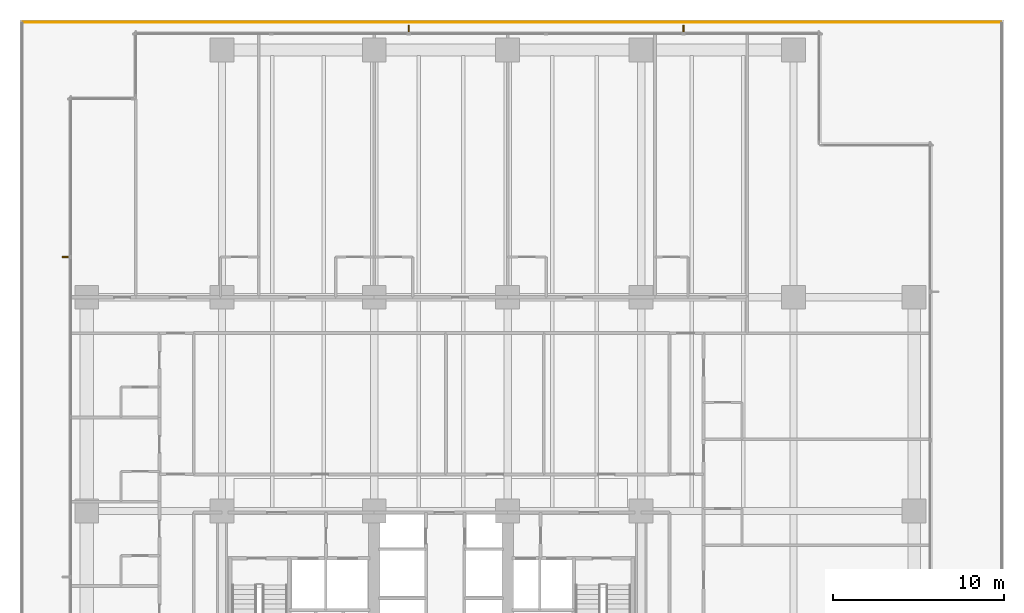
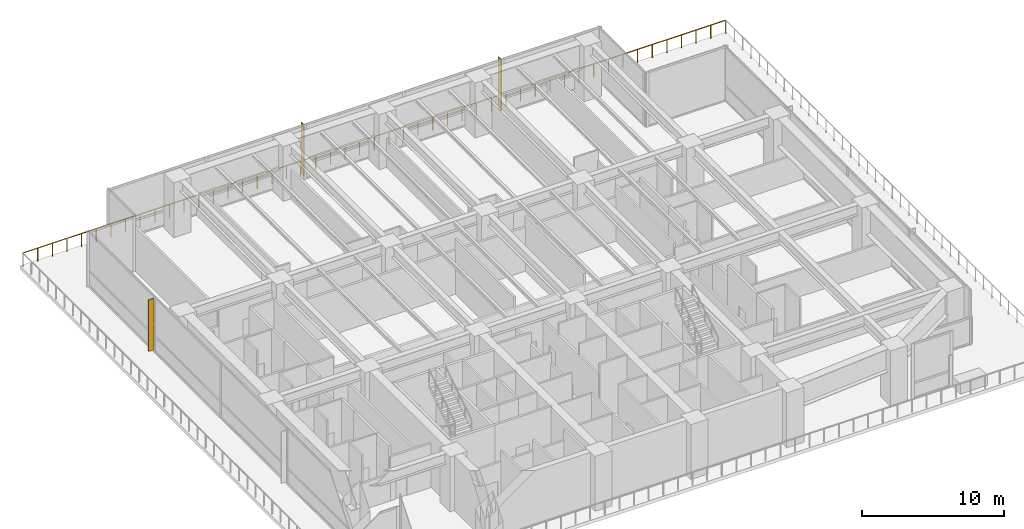
# One storey, part 19 of 19: 3 shading devices, 1 railing.
"""IFC4 building model written with IfcOpenShell, lengths in metres."""

from ifc_helpers import new_model, si_unit, direction, frame, origin, origin_2d, place, context, subcontext, project, spatial, polyline, circle, outline, extrude, material, layer, layer_set, type_object, element, save


model = new_model("IFC4")

# Units and contexts
model_context = context("Model", 3, precision=1e-05, world=origin(), true_north=direction((0.0, 1.0)))
body_context = subcontext(model_context, "Body", "Model", "MODEL_VIEW")
ifc_project = project(units=[si_unit("LENGTHUNIT", "METRE"), si_unit("AREAUNIT", "SQUARE_METRE"), si_unit("VOLUMEUNIT", "CUBIC_METRE"), si_unit("PLANEANGLEUNIT", "RADIAN"), si_unit("MASSUNIT", "GRAM", prefix="KILO")], contexts=[model_context])

# Site, building, storey
site_placement = place(None, origin())
site = spatial("IfcSite", under=ifc_project, at=site_placement, CompositionType="ELEMENT")
building_placement = place(site_placement, origin())
building = spatial("IfcBuilding", under=site, at=building_placement, Name="Qalmaran Belvedere Hotel", CompositionType="ELEMENT")
storey_placement = place(building_placement, frame((0.0, 0.0, 28.39990234375)))
storey = spatial("IfcBuildingStorey", under=building, at=storey_placement, Name="L06", CompositionType="ELEMENT", Elevation=28.39990234375)

# Shading devices
ifc_material = material(Name="Anodised Bronze Aluminium", Category="aluminium")
ifc_layer = layer(ifc_material, 0.06494140625, Name="Anodised Bronze Aluminium")
ifc_layer_set = layer_set([ifc_layer], Name="Anodised Bronze Aluminium")
shading_device_type = type_object("IfcShadingDeviceType", Name="FIN-BRNZ-420", PredefinedType="USERDEFINED", material=ifc_layer_set)
shading_device_1_placement = place(storey_placement, frame((0.0, 0.0, 0.16015625)))
element("IfcShadingDevice", 1, at=shading_device_1_placement, inside=storey, type_object=shading_device_type, Name="L06 Bronze Fin 1", ObjectType="FIN", PredefinedType="USERDEFINED", context=body_context, shape_type="SweptSolid", body=[
    extrude(outline(polyline([(47.302490234375, 48.472412109375), (47.302490234375, 48.892578125), (47.237548828125, 48.892578125), (47.237548828125, 48.472412109375), (47.302490234375, 48.472412109375)])), origin(), (0.0, 0.0, 1.0), 4.43994140625),
])
shading_device_2_placement = place(storey_placement, frame((0.0, 0.0, 0.16015625)))
element("IfcShadingDevice", 2, at=shading_device_2_placement, inside=storey, type_object=shading_device_type, Name="L06 Bronze Fin 3", ObjectType="FIN", PredefinedType="USERDEFINED", context=body_context, shape_type="SweptSolid", body=[
    extrude(outline(polyline([(31.242431640625, 48.472412109375), (31.242431640625, 48.892578125), (31.177490234375, 48.892578125), (31.177490234375, 48.472412109375), (31.242431640625, 48.472412109375)])), origin(), (0.0, 0.0, 1.0), 4.43994140625),
])
shading_device_3_placement = place(storey_placement, frame((0.0, 0.0, 0.16015625)))
element("IfcShadingDevice", 3, at=shading_device_3_placement, inside=storey, type_object=shading_device_type, Name="L06 Bronze Fin 1", ObjectType="FIN", PredefinedType="USERDEFINED", context=body_context, shape_type="SweptSolid", body=[
    extrude(outline(polyline([(11.37744140625, 35.382568359375), (10.95751953125, 35.382568359375), (10.95751953125, 35.3173828125), (11.37744140625, 35.3173828125), (11.37744140625, 35.382568359375)])), origin(), (0.0, 0.0, 1.0), 4.43994140625),
])

# Railing
railing_type = type_object("IfcRailingType", Name="GRD-TERR-1150", PredefinedType="BALUSTRADE", material=ifc_material)
railing_placement = place(storey_placement, frame((65.824951171875, 49.06005859375, 0.0)))
element("IfcRailing", 4, at=railing_placement, inside=storey, type_object=railing_type, Name="L06 Guardrail L06-TERR-3", PredefinedType="BALUSTRADE", context=body_context, shape_type="SweptSolid", body=[
    extrude(circle(Radius=0.02392578125, at=origin_2d()), frame((0.0, 0.0, 1.1259765625), z_axis=(-1.0, 0.0, 0.0), x_axis=(0.0, -1.0, 0.0)), (0.0, 0.0, 1.0), 57.14990234375),
    extrude(circle(Radius=0.02099609375, at=origin_2d()), origin(), (0.0, 0.0, 1.0), 1.101806640625),
    extrude(circle(Radius=0.02099609375, at=origin_2d()), frame((-1.190673828125, 0.0, 0.0)), (0.0, 0.0, 1.0), 1.101806640625),
    extrude(circle(Radius=0.02099609375, at=origin_2d()), frame((-2.38134765625, 0.0, 0.0)), (0.0, 0.0, 1.0), 1.101806640625),
    extrude(circle(Radius=0.02099609375, at=origin_2d()), frame((-3.57177734375, 0.0, 0.0)), (0.0, 0.0, 1.0), 1.101806640625),
    extrude(circle(Radius=0.02099609375, at=origin_2d()), frame((-4.762451171875, 0.0, 0.0)), (0.0, 0.0, 1.0), 1.101806640625),
    extrude(circle(Radius=0.02099609375, at=origin_2d()), frame((-5.953125, 0.0, 0.0)), (0.0, 0.0, 1.0), 1.101806640625),
    extrude(circle(Radius=0.02099609375, at=origin_2d()), frame((-7.143798828125, 0.0, 0.0)), (0.0, 0.0, 1.0), 1.101806640625),
    extrude(circle(Radius=0.02099609375, at=origin_2d()), frame((-8.33447265625, 0.0, 0.0)), (0.0, 0.0, 1.0), 1.101806640625),
    extrude(circle(Radius=0.02099609375, at=origin_2d()), frame((-9.52490234375, 0.0, 0.0)), (0.0, 0.0, 1.0), 1.101806640625),
    extrude(circle(Radius=0.02099609375, at=origin_2d()), frame((-10.715576171875, 0.0, 0.0)), (0.0, 0.0, 1.0), 1.101806640625),
    extrude(circle(Radius=0.02099609375, at=origin_2d()), frame((-11.90625, 0.0, 0.0)), (0.0, 0.0, 1.0), 1.101806640625),
    extrude(circle(Radius=0.02099609375, at=origin_2d()), frame((-13.096923828125, 0.0, 0.0)), (0.0, 0.0, 1.0), 1.101806640625),
    extrude(circle(Radius=0.02099609375, at=origin_2d()), frame((-14.28759765625, 0.0, 0.0)), (0.0, 0.0, 1.0), 1.101806640625),
    extrude(circle(Radius=0.02099609375, at=origin_2d()), frame((-15.47802734375, 0.0, 0.0)), (0.0, 0.0, 1.0), 1.101806640625),
    extrude(circle(Radius=0.02099609375, at=origin_2d()), frame((-16.668701171875, 0.0, 0.0)), (0.0, 0.0, 1.0), 1.101806640625),
    extrude(circle(Radius=0.02099609375, at=origin_2d()), frame((-17.859375, 0.0, 0.0)), (0.0, 0.0, 1.0), 1.101806640625),
    extrude(circle(Radius=0.02099609375, at=origin_2d()), frame((-19.050048828125, 0.0, 0.0)), (0.0, 0.0, 1.0), 1.101806640625),
    extrude(circle(Radius=0.02099609375, at=origin_2d()), frame((-20.240478515625, 0.0, 0.0)), (0.0, 0.0, 1.0), 1.101806640625),
    extrude(circle(Radius=0.02099609375, at=origin_2d()), frame((-21.43115234375, 0.0, 0.0)), (0.0, 0.0, 1.0), 1.101806640625),
    extrude(circle(Radius=0.02099609375, at=origin_2d()), frame((-22.621826171875, 0.0, 0.0)), (0.0, 0.0, 1.0), 1.101806640625),
    extrude(circle(Radius=0.02099609375, at=origin_2d()), frame((-23.8125, 0.0, 0.0)), (0.0, 0.0, 1.0), 1.101806640625),
    extrude(circle(Radius=0.02099609375, at=origin_2d()), frame((-25.003173828125, 0.0, 0.0)), (0.0, 0.0, 1.0), 1.101806640625),
    extrude(circle(Radius=0.02099609375, at=origin_2d()), frame((-26.193603515625, 0.0, 0.0)), (0.0, 0.0, 1.0), 1.101806640625),
    extrude(circle(Radius=0.02099609375, at=origin_2d()), frame((-27.38427734375, 0.0, 0.0)), (0.0, 0.0, 1.0), 1.101806640625),
    extrude(circle(Radius=0.02099609375, at=origin_2d()), frame((-28.574951171875, 0.0, 0.0)), (0.0, 0.0, 1.0), 1.101806640625),
    extrude(circle(Radius=0.02099609375, at=origin_2d()), frame((-29.765625, 0.0, 0.0)), (0.0, 0.0, 1.0), 1.101806640625),
    extrude(circle(Radius=0.02099609375, at=origin_2d()), frame((-30.956298828125, 0.0, 0.0)), (0.0, 0.0, 1.0), 1.101806640625),
    extrude(circle(Radius=0.02099609375, at=origin_2d()), frame((-32.146728515625, 0.0, 0.0)), (0.0, 0.0, 1.0), 1.101806640625),
    extrude(circle(Radius=0.02099609375, at=origin_2d()), frame((-33.33740234375, 0.0, 0.0)), (0.0, 0.0, 1.0), 1.101806640625),
    extrude(circle(Radius=0.02099609375, at=origin_2d()), frame((-34.528076171875, 0.0, 0.0)), (0.0, 0.0, 1.0), 1.101806640625),
    extrude(circle(Radius=0.02099609375, at=origin_2d()), frame((-35.71875, 0.0, 0.0)), (0.0, 0.0, 1.0), 1.101806640625),
    extrude(circle(Radius=0.02099609375, at=origin_2d()), frame((-36.909423828125, 0.0, 0.0)), (0.0, 0.0, 1.0), 1.101806640625),
    extrude(circle(Radius=0.02099609375, at=origin_2d()), frame((-38.099853515625, 0.0, 0.0)), (0.0, 0.0, 1.0), 1.101806640625),
    extrude(circle(Radius=0.02099609375, at=origin_2d()), frame((-39.29052734375, 0.0, 0.0)), (0.0, 0.0, 1.0), 1.101806640625),
    extrude(circle(Radius=0.02099609375, at=origin_2d()), frame((-40.481201171875, 0.0, 0.0)), (0.0, 0.0, 1.0), 1.101806640625),
    extrude(circle(Radius=0.02099609375, at=origin_2d()), frame((-41.671875, 0.0, 0.0)), (0.0, 0.0, 1.0), 1.101806640625),
    extrude(circle(Radius=0.02099609375, at=origin_2d()), frame((-42.8623046875, 0.0, 0.0)), (0.0, 0.0, 1.0), 1.101806640625),
    extrude(circle(Radius=0.02099609375, at=origin_2d()), frame((-44.052978515625, 0.0, 0.0)), (0.0, 0.0, 1.0), 1.101806640625),
    extrude(circle(Radius=0.02099609375, at=origin_2d()), frame((-45.24365234375, 0.0, 0.0)), (0.0, 0.0, 1.0), 1.101806640625),
    extrude(circle(Radius=0.02099609375, at=origin_2d()), frame((-46.434326171875, 0.0, 0.0)), (0.0, 0.0, 1.0), 1.101806640625),
    extrude(circle(Radius=0.02099609375, at=origin_2d()), frame((-47.625, 0.0, 0.0)), (0.0, 0.0, 1.0), 1.101806640625),
    extrude(circle(Radius=0.02099609375, at=origin_2d()), frame((-48.8154296875, 0.0, 0.0)), (0.0, 0.0, 1.0), 1.101806640625),
    extrude(circle(Radius=0.02099609375, at=origin_2d()), frame((-50.006103515625, 0.0, 0.0)), (0.0, 0.0, 1.0), 1.101806640625),
    extrude(circle(Radius=0.02099609375, at=origin_2d()), frame((-51.19677734375, 0.0, 0.0)), (0.0, 0.0, 1.0), 1.101806640625),
    extrude(circle(Radius=0.02099609375, at=origin_2d()), frame((-52.387451171875, 0.0, 0.0)), (0.0, 0.0, 1.0), 1.101806640625),
    extrude(circle(Radius=0.02099609375, at=origin_2d()), frame((-53.578125, 0.0, 0.0)), (0.0, 0.0, 1.0), 1.101806640625),
    extrude(circle(Radius=0.02099609375, at=origin_2d()), frame((-54.7685546875, 0.0, 0.0)), (0.0, 0.0, 1.0), 1.101806640625),
    extrude(circle(Radius=0.02099609375, at=origin_2d()), frame((-55.959228515625, 0.0, 0.0)), (0.0, 0.0, 1.0), 1.101806640625),
    extrude(circle(Radius=0.02099609375, at=origin_2d()), frame((-57.14990234375, 0.0, 0.0)), (0.0, 0.0, 1.0), 1.101806640625),
])

save(model, "model.ifc")
